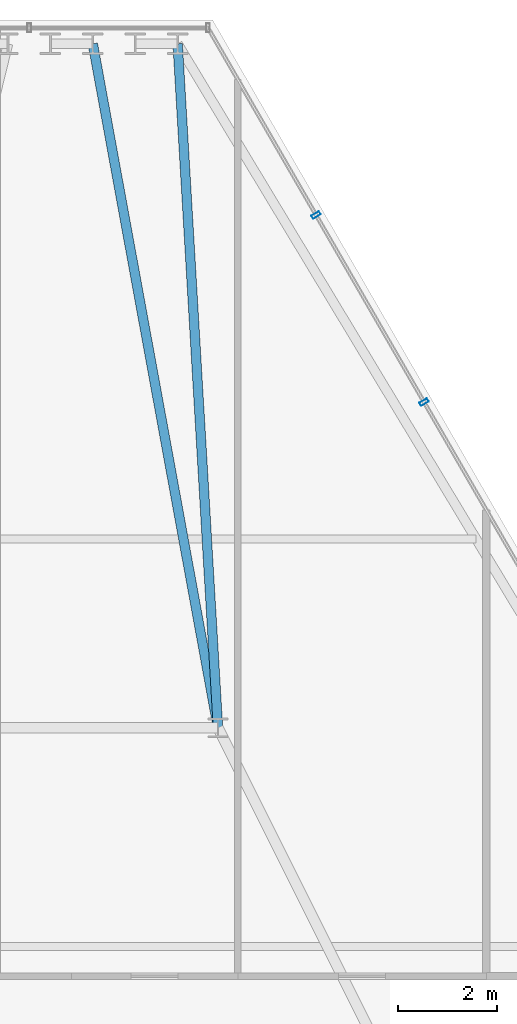
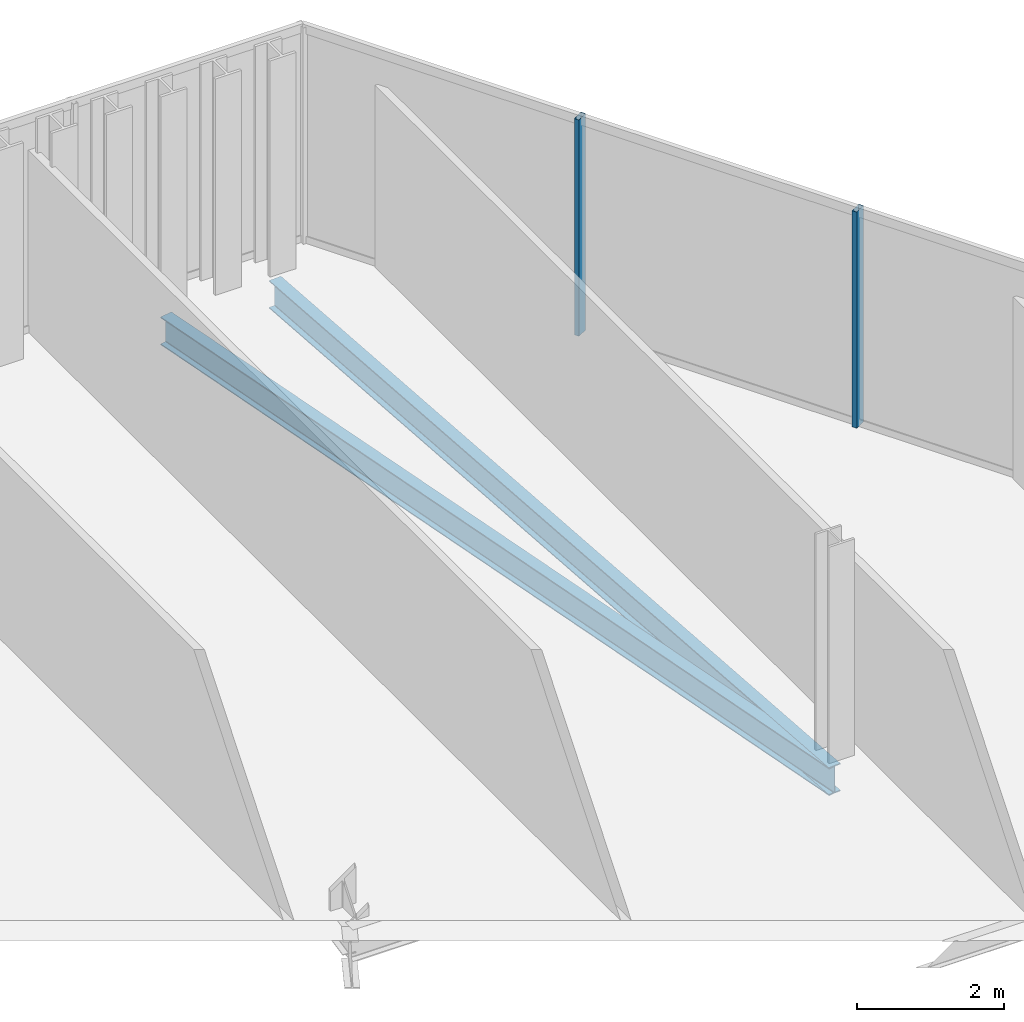
# One storey, part 21 of 29: 2 beams, 2 members, 1 element without a shape of its own.
"""IFC4 building model written with IfcOpenShell, lengths in metres."""

from ifc_helpers import new_model, si_unit, direction, frame, origin, origin_2d, place, context, subcontext, project, spatial, hollow_rectangle, i_section, extrude, material, layer, layer_set, material_profile, profile_set, type_object, element, aggregate, save


model = new_model("IFC4")

# Units and contexts
model_context = context("Model", 3, precision=1e-05, world=origin(), true_north=direction((0.0, 1.0)))
body_context = subcontext(model_context, "Body", "Model", "MODEL_VIEW")
ifc_project = project(units=[si_unit("LENGTHUNIT", "METRE"), si_unit("AREAUNIT", "SQUARE_METRE"), si_unit("VOLUMEUNIT", "CUBIC_METRE"), si_unit("PLANEANGLEUNIT", "RADIAN"), si_unit("MASSUNIT", "GRAM", prefix="KILO")], contexts=[model_context])

# Site, building, storey
site_placement = place(None, origin())
site = spatial("IfcSite", under=ifc_project, at=site_placement, CompositionType="ELEMENT")
building_placement = place(site_placement, origin())
building = spatial("IfcBuilding", under=site, at=building_placement, Name="Ndaravel Arena Tower", CompositionType="ELEMENT")
storey_placement = place(building_placement, frame((0.0, 0.0, 233.199951171875)))
storey = spatial("IfcBuildingStorey", under=building, at=storey_placement, Name="L56", CompositionType="ELEMENT", Elevation=233.199951171875)

# Beams
ifc_material_1 = material(Name="Steel S355", Category="steel")
ifc_material_profile_1 = material_profile(ifc_material_1, i_section(OverallWidth=0.19140625, OverallDepth=0.4599609375, WebThickness=0.010009765625, FlangeThickness=0.01611328125, FilletRadius=0.01025390625, at=origin_2d()), Name="UB 457x191x82")
ifc_profile_set_1 = profile_set([ifc_material_profile_1], Name="Steel S355")
beam_type = type_object("IfcBeamType", Name="BM-GIRD-UB457", PredefinedType="BEAM", material=ifc_profile_set_1)
beam_1_placement = place(storey_placement, frame((44.988037109375, 44.968994140625, -0.449951171875), z_axis=(0.058871436847, -0.998265572843, 0.0), x_axis=(0.998265572843, 0.058871436847, 0.0)))
element("IfcBeam", 1, at=beam_1_placement, inside=storey, type_object=beam_type, Name="L56 Radial Floor Girder FG-11", PredefinedType="BEAM", context=body_context, shape_type="SweptSolid", body=[
    extrude(i_section(OverallWidth=0.19140625, OverallDepth=0.4599609375, WebThickness=0.010009765625, FlangeThickness=0.01611328125, FilletRadius=0.01025390625, at=origin_2d()), origin(), (0.0, 0.0, 1.0), 13.79296875),
])
beam_2_placement = place(storey_placement, frame((43.280517578125, 44.968994140625, -0.449951171875), z_axis=(0.17999655867, -0.983667239907, 0.0), x_axis=(0.983667239907, 0.17999655867, 0.0)))
element("IfcBeam", 2, at=beam_2_placement, inside=storey, type_object=beam_type, Name="L56 Radial Floor Girder FG-13", PredefinedType="BEAM", context=body_context, shape_type="SweptSolid", body=[
    extrude(i_section(OverallWidth=0.19140625, OverallDepth=0.4599609375, WebThickness=0.010009765625, FlangeThickness=0.01611328125, FilletRadius=0.01025390625, at=origin_2d()), origin(), (0.0, 0.0, 1.0), 13.99755859375),
])

# Curtain wall, members
ifc_material_2 = material(Name="Aluminium", Category="aluminium")
ifc_layer = layer(ifc_material_2, 0.179931640625)
ifc_layer_set = layer_set([ifc_layer], Name="Aluminium")
curtain_wall_type = type_object("IfcCurtainWallType", Name="CW-SYS-03", PredefinedType="NOTDEFINED", material=ifc_layer_set)
curtain_wall_placement = place(storey_placement, origin())
curtain_wall = element("IfcCurtainWall", 3, at=curtain_wall_placement, inside=storey, type_object=curtain_wall_type, Name="L56 Faceted Crystal Curtain Wall CW-L56-E03", PredefinedType="NOTDEFINED")
ifc_material_3 = material(Name="Aluminium", Category="aluminium")
ifc_material_profile_2 = material_profile(ifc_material_3, hollow_rectangle(XDim=0.074951171875, YDim=0.179931640625, WallThickness=0.00390625, at=origin_2d()), Name="CW MULLION 75x180x4")
ifc_profile_set_2 = profile_set([ifc_material_profile_2], Name="Aluminium")
member_type = type_object("IfcMemberType", Name="MEM-CW-MUL180", PredefinedType="MULLION", material=ifc_profile_set_2)
member_1_placement = place(storey_placement, frame((49.9482421875, 37.7568359375, 0.0), z_axis=(0.0, 0.0, 1.0), x_axis=(-0.5, 0.866025403784, 0.0)))
member_1 = element("IfcMember", 4, at=member_1_placement, type_object=member_type, Name="CW-L56-E03 Mullion 07", PredefinedType="MULLION", context=body_context, shape_type="SweptSolid", body=[
    extrude(hollow_rectangle(XDim=0.074951171875, YDim=0.179931640625, WallThickness=0.00390625, at=origin_2d()), origin(), (0.0, 0.0, 1.0), 3.580078125),
])
member_2_placement = place(storey_placement, frame((47.77392578125, 41.52294921875, 0.0), z_axis=(0.0, 0.0, 1.0), x_axis=(-0.5, 0.866025403784, 0.0)))
member_2 = element("IfcMember", 5, at=member_2_placement, type_object=member_type, Name="CW-L56-E03 Mullion 08", PredefinedType="MULLION", context=body_context, shape_type="SweptSolid", body=[
    extrude(hollow_rectangle(XDim=0.074951171875, YDim=0.179931640625, WallThickness=0.00390625, at=origin_2d()), origin(), (0.0, 0.0, 1.0), 3.580078125),
])
aggregate(curtain_wall, [member_1, member_2])

save(model, "model.ifc")
